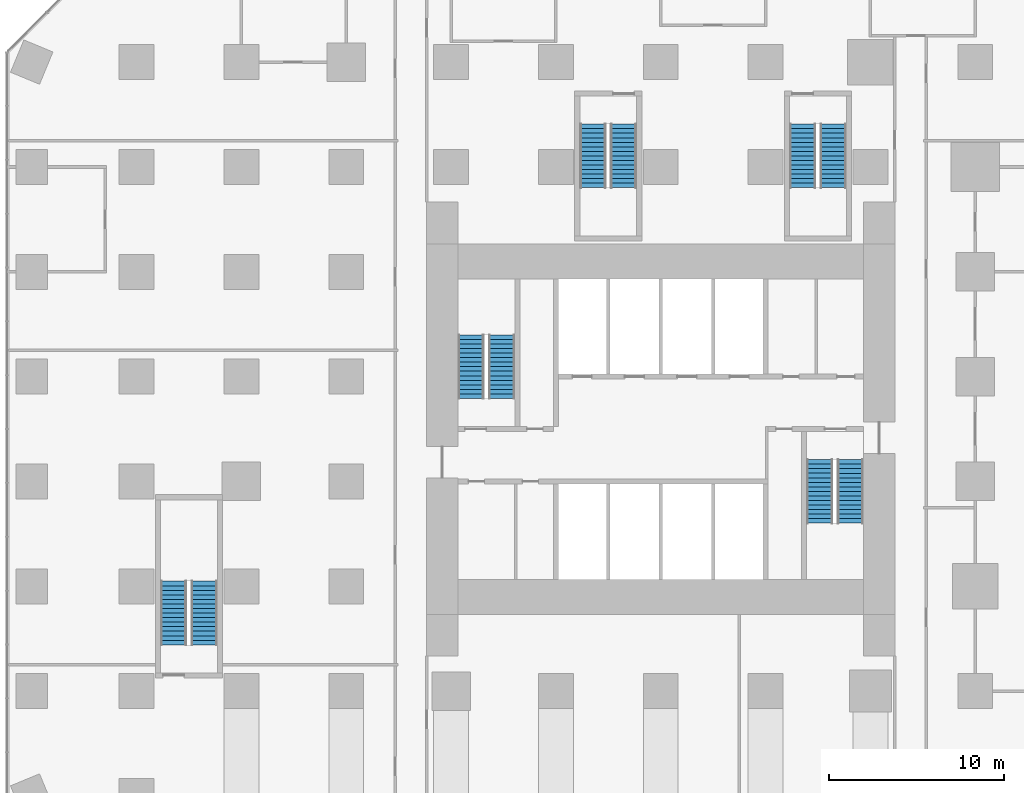
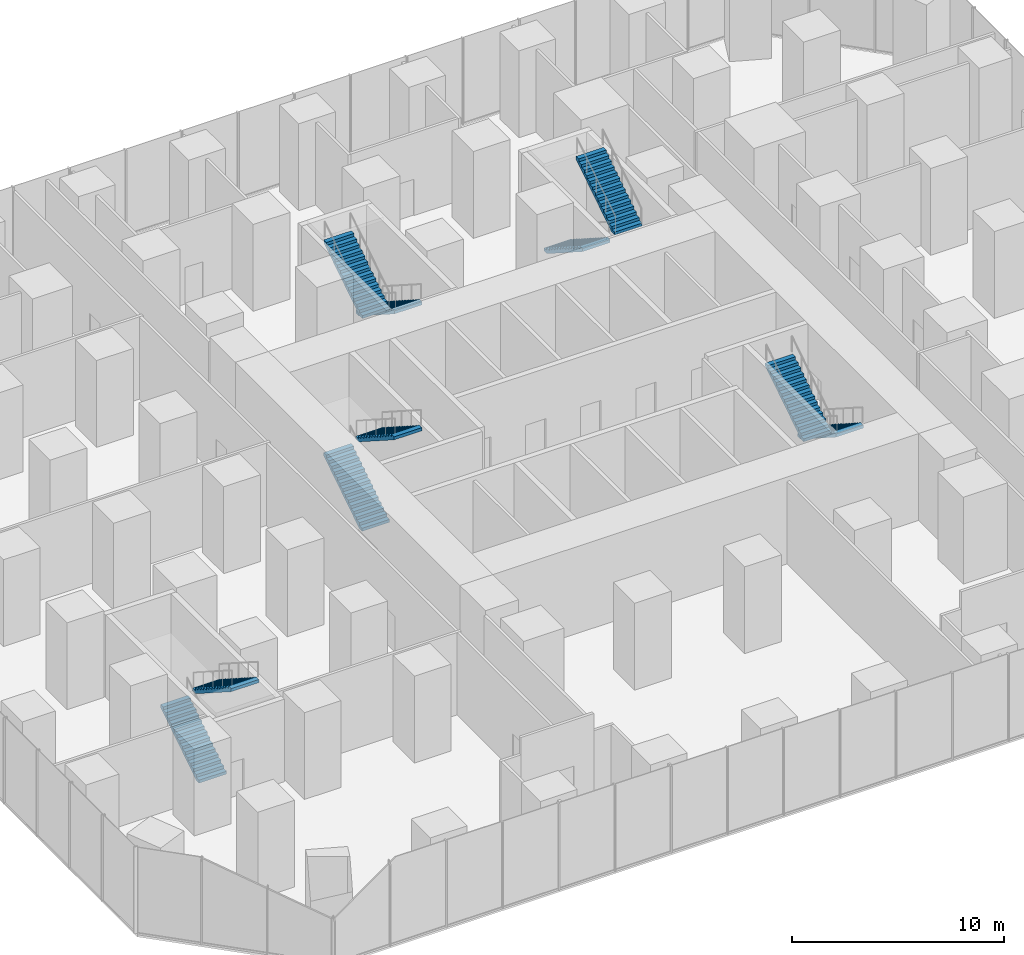
# One storey, part 14 of 15: 10 stair flights, 5 elements without a shape of their own.
"""IFC4 building model written with IfcOpenShell, lengths in metres."""

from ifc_helpers import new_model, si_unit, direction, frame, origin, place, context, subcontext, project, spatial, polyline, outline, extrude, material, type_object, element, aggregate, save


model = new_model("IFC4")

# Units and contexts
model_context = context("Model", 3, precision=1e-05, world=origin(), true_north=direction((0.0, 1.0)))
body_context = subcontext(model_context, "Body", "Model", "MODEL_VIEW")
ifc_project = project(units=[si_unit("LENGTHUNIT", "METRE"), si_unit("AREAUNIT", "SQUARE_METRE"), si_unit("VOLUMEUNIT", "CUBIC_METRE"), si_unit("PLANEANGLEUNIT", "RADIAN"), si_unit("MASSUNIT", "GRAM", prefix="KILO")], contexts=[model_context])

# Site, building, storey
site_placement = place(None, origin())
site = spatial("IfcSite", under=ifc_project, at=site_placement, CompositionType="ELEMENT")
building_placement = place(site_placement, origin())
building = spatial("IfcBuilding", under=site, at=building_placement, Name="Highveld Stack Headquarters", CompositionType="ELEMENT")
storey_placement = place(building_placement, frame((0.0, 0.0, 6.0)))
storey = spatial("IfcBuildingStorey", under=building, at=storey_placement, Name="L01", CompositionType="ELEMENT", Elevation=6.0)

# Stair, stair flights
ifc_material_1 = material(Name="Concrete C40/50, precast", Category="concrete")
stair_type_1 = type_object("IfcStairType", Name="STAIR S1 HALF TURN 1500", PredefinedType="HALF_TURN_STAIR", material=ifc_material_1)
stair_1_placement = place(storey_placement, origin())
stair_1 = element("IfcStair", 1, at=stair_1_placement, inside=storey, type_object=stair_type_1, Name="Stair S1 L01", PredefinedType="HALF_TURN_STAIR")
ifc_material_2 = material(Name="Concrete C40/50, precast", Category="concrete")
stair_flight_type = type_object("IfcStairFlightType", Name="STAIR FLIGHT 1500 PRECAST", PredefinedType="STRAIGHT", material=ifc_material_2)
stair_flight_1_placement = place(storey_placement, frame((-4.85009765625, 4.75, 0.0), z_axis=(0.0, 0.0, 1.0), x_axis=(0.0, 1.0, 0.0)))
stair_flight_1 = element("IfcStairFlight", 2, at=stair_flight_1_placement, type_object=stair_flight_type, Name="S1 flight 1", NumberOfRisers=15, NumberOfTreads=14, PredefinedType="STRAIGHT", RiserHeight=0.166666667, TreadLength=0.26, context=body_context, shape_type="SweptSolid", body=[
    extrude(outline(polyline([(0.0, 0.0), (0.0, 0.166748046875), (0.260009765625, 0.166748046875), (0.260009765625, 0.333251953125), (0.52001953125, 0.333251953125), (0.52001953125, 0.5), (0.780029296875, 0.5), (0.780029296875, 0.666748046875), (1.0400390625, 0.666748046875), (1.0400390625, 0.833251953125), (1.300048828125, 0.833251953125), (1.300048828125, 1.0), (1.56005859375, 1.0), (1.56005859375, 1.166748046875), (1.820068359375, 1.166748046875), (1.820068359375, 1.333251953125), (2.080078125, 1.333251953125), (2.080078125, 1.5), (2.340087890625, 1.5), (2.340087890625, 1.666748046875), (2.60009765625, 1.666748046875), (2.60009765625, 1.833251953125), (2.860107421875, 1.833251953125), (2.860107421875, 2.0), (3.1201171875, 2.0), (3.1201171875, 2.166748046875), (3.3798828125, 2.166748046875), (3.3798828125, 2.333251953125), (3.639892578125, 2.333251953125), (3.639892578125, 2.5), (3.639892578125, 2.1552734375), (0.27783203125, 0.0), (0.0, 0.0)])), frame((0.0, 0.75, 0.0), z_axis=(0.0, -1.0, 0.0), x_axis=(1.0, 0.0, 0.0)), (0.0, 0.0, 1.0), 1.5),
])
stair_flight_2_placement = place(storey_placement, frame((-3.10009765625, 8.389892578125, 2.5), z_axis=(0.0, 0.0, 1.0), x_axis=(0.0, -1.0, 0.0)))
stair_flight_2 = element("IfcStairFlight", 3, at=stair_flight_2_placement, type_object=stair_flight_type, Name="S1 flight 2", NumberOfRisers=15, NumberOfTreads=14, PredefinedType="STRAIGHT", RiserHeight=0.166666667, TreadLength=0.26, context=body_context, shape_type="SweptSolid", body=[
    extrude(outline(polyline([(0.0, 0.0), (0.0, 0.166748046875), (0.260009765625, 0.166748046875), (0.260009765625, 0.333251953125), (0.52001953125, 0.333251953125), (0.52001953125, 0.5), (0.780029296875, 0.5), (0.780029296875, 0.666748046875), (1.0400390625, 0.666748046875), (1.0400390625, 0.833251953125), (1.300048828125, 0.833251953125), (1.300048828125, 1.0), (1.56005859375, 1.0), (1.56005859375, 1.166748046875), (1.820068359375, 1.166748046875), (1.820068359375, 1.333251953125), (2.080078125, 1.333251953125), (2.080078125, 1.5), (2.340087890625, 1.5), (2.340087890625, 1.666748046875), (2.60009765625, 1.666748046875), (2.60009765625, 1.833251953125), (2.860107421875, 1.833251953125), (2.860107421875, 2.0), (3.1201171875, 2.0), (3.1201171875, 2.166748046875), (3.3798828125, 2.166748046875), (3.3798828125, 2.333251953125), (3.639892578125, 2.333251953125), (3.639892578125, 2.5), (3.639892578125, 2.1552734375), (0.27783203125, 0.0), (0.0, 0.0)])), frame((0.0, 0.75, 0.0), z_axis=(0.0, -1.0, 0.0), x_axis=(1.0, 0.0, 0.0)), (0.0, 0.0, 1.0), 1.5),
])
aggregate(stair_1, [stair_flight_1, stair_flight_2])

ifc_material_3 = material(Name="Concrete C40/50, precast", Category="concrete")
stair_type_2 = type_object("IfcStairType", Name="STAIR S2 HALF TURN 1500", PredefinedType="HALF_TURN_STAIR", material=ifc_material_3)
stair_2_placement = place(storey_placement, origin())
stair_2 = element("IfcStair", 4, at=stair_2_placement, inside=storey, type_object=stair_type_2, Name="Stair S2 L01", PredefinedType="HALF_TURN_STAIR")
stair_flight_3_placement = place(storey_placement, frame((16.85009765625, 1.25, 0.0), z_axis=(0.0, 0.0, 1.0), x_axis=(0.0, -1.0, 0.0)))
stair_flight_3 = element("IfcStairFlight", 5, at=stair_flight_3_placement, type_object=stair_flight_type, Name="S2 flight 1", NumberOfRisers=15, NumberOfTreads=14, PredefinedType="STRAIGHT", RiserHeight=0.166666667, TreadLength=0.26, context=body_context, shape_type="SweptSolid", body=[
    extrude(outline(polyline([(0.0, 0.0), (0.0, 0.166748046875), (0.260009765625, 0.166748046875), (0.260009765625, 0.333251953125), (0.52001953125, 0.333251953125), (0.52001953125, 0.5), (0.780029296875, 0.5), (0.780029296875, 0.666748046875), (1.0400390625, 0.666748046875), (1.0400390625, 0.833251953125), (1.300048828125, 0.833251953125), (1.300048828125, 1.0), (1.56005859375, 1.0), (1.56005859375, 1.166748046875), (1.820068359375, 1.166748046875), (1.820068359375, 1.333251953125), (2.080078125, 1.333251953125), (2.080078125, 1.5), (2.340087890625, 1.5), (2.340087890625, 1.666748046875), (2.60009765625, 1.666748046875), (2.60009765625, 1.833251953125), (2.860107421875, 1.833251953125), (2.860107421875, 2.0), (3.1201171875, 2.0), (3.1201171875, 2.166748046875), (3.3798828125, 2.166748046875), (3.3798828125, 2.333251953125), (3.639892578125, 2.333251953125), (3.639892578125, 2.5), (3.639892578125, 2.1552734375), (0.27783203125, 0.0), (0.0, 0.0)])), frame((0.0, 0.75, 0.0), z_axis=(0.0, -1.0, 0.0), x_axis=(1.0, 0.0, 0.0)), (0.0, 0.0, 1.0), 1.5),
])
stair_flight_4_placement = place(storey_placement, frame((15.10009765625, -2.389892578125, 2.5), z_axis=(0.0, 0.0, 1.0), x_axis=(0.0, 1.0, 0.0)))
stair_flight_4 = element("IfcStairFlight", 6, at=stair_flight_4_placement, type_object=stair_flight_type, Name="S2 flight 2", NumberOfRisers=15, NumberOfTreads=14, PredefinedType="STRAIGHT", RiserHeight=0.166666667, TreadLength=0.26, context=body_context, shape_type="SweptSolid", body=[
    extrude(outline(polyline([(0.0, 0.0), (0.0, 0.166748046875), (0.260009765625, 0.166748046875), (0.260009765625, 0.333251953125), (0.52001953125, 0.333251953125), (0.52001953125, 0.5), (0.780029296875, 0.5), (0.780029296875, 0.666748046875), (1.0400390625, 0.666748046875), (1.0400390625, 0.833251953125), (1.300048828125, 0.833251953125), (1.300048828125, 1.0), (1.56005859375, 1.0), (1.56005859375, 1.166748046875), (1.820068359375, 1.166748046875), (1.820068359375, 1.333251953125), (2.080078125, 1.333251953125), (2.080078125, 1.5), (2.340087890625, 1.5), (2.340087890625, 1.666748046875), (2.60009765625, 1.666748046875), (2.60009765625, 1.833251953125), (2.860107421875, 1.833251953125), (2.860107421875, 2.0), (3.1201171875, 2.0), (3.1201171875, 2.166748046875), (3.3798828125, 2.166748046875), (3.3798828125, 2.333251953125), (3.639892578125, 2.333251953125), (3.639892578125, 2.5), (3.639892578125, 2.1552734375), (0.27783203125, 0.0), (0.0, 0.0)])), frame((0.0, 0.75, 0.0), z_axis=(0.0, -1.0, 0.0), x_axis=(1.0, 0.0, 0.0)), (0.0, 0.0, 1.0), 1.5),
])
aggregate(stair_2, [stair_flight_3, stair_flight_4])

ifc_material_4 = material(Name="Concrete C40/50, precast", Category="concrete")
stair_type_3 = type_object("IfcStairType", Name="STAIR PS1 HALF TURN 1500", PredefinedType="HALF_TURN_STAIR", material=ifc_material_4)
stair_3_placement = place(storey_placement, origin())
stair_3 = element("IfcStair", 7, at=stair_3_placement, inside=storey, type_object=stair_type_3, Name="Stair PS1 L01", PredefinedType="HALF_TURN_STAIR")
stair_flight_5_placement = place(storey_placement, frame((-21.875, -9.35009765625, 0.0), z_axis=(0.0, 0.0, 1.0), x_axis=(0.0, 1.0, 0.0)))
stair_flight_5 = element("IfcStairFlight", 8, at=stair_flight_5_placement, type_object=stair_flight_type, Name="PS1 flight 1", NumberOfRisers=15, NumberOfTreads=14, PredefinedType="STRAIGHT", RiserHeight=0.166666667, TreadLength=0.26, context=body_context, shape_type="SweptSolid", body=[
    extrude(outline(polyline([(0.0, 0.0), (0.0, 0.166748046875), (0.260009765625, 0.166748046875), (0.260009765625, 0.333251953125), (0.52001953125, 0.333251953125), (0.52001953125, 0.5), (0.780029296875, 0.5), (0.780029296875, 0.666748046875), (1.0400390625, 0.666748046875), (1.0400390625, 0.833251953125), (1.300048828125, 0.833251953125), (1.300048828125, 1.0), (1.56005859375, 1.0), (1.56005859375, 1.166748046875), (1.820068359375, 1.166748046875), (1.820068359375, 1.333251953125), (2.080078125, 1.333251953125), (2.080078125, 1.5), (2.340087890625, 1.5), (2.340087890625, 1.666748046875), (2.60009765625, 1.666748046875), (2.60009765625, 1.833251953125), (2.860107421875, 1.833251953125), (2.860107421875, 2.0), (3.1201171875, 2.0), (3.1201171875, 2.166748046875), (3.3798828125, 2.166748046875), (3.3798828125, 2.333251953125), (3.639892578125, 2.333251953125), (3.639892578125, 2.5), (3.639892578125, 2.1552734375), (0.27783203125, 0.0), (0.0, 0.0)])), frame((0.0, 0.75, 0.0), z_axis=(0.0, -1.0, 0.0), x_axis=(1.0, 0.0, 0.0)), (0.0, 0.0, 1.0), 1.5),
])
stair_flight_6_placement = place(storey_placement, frame((-20.125, -5.7099609375, 2.5), z_axis=(0.0, 0.0, 1.0), x_axis=(0.0, -1.0, 0.0)))
stair_flight_6 = element("IfcStairFlight", 9, at=stair_flight_6_placement, type_object=stair_flight_type, Name="PS1 flight 2", NumberOfRisers=15, NumberOfTreads=14, PredefinedType="STRAIGHT", RiserHeight=0.166666667, TreadLength=0.26, context=body_context, shape_type="SweptSolid", body=[
    extrude(outline(polyline([(0.0, 0.0), (0.0, 0.166748046875), (0.260009765625, 0.166748046875), (0.260009765625, 0.333251953125), (0.52001953125, 0.333251953125), (0.52001953125, 0.5), (0.780029296875, 0.5), (0.780029296875, 0.666748046875), (1.0400390625, 0.666748046875), (1.0400390625, 0.833251953125), (1.300048828125, 0.833251953125), (1.300048828125, 1.0), (1.56005859375, 1.0), (1.56005859375, 1.166748046875), (1.820068359375, 1.166748046875), (1.820068359375, 1.333251953125), (2.080078125, 1.333251953125), (2.080078125, 1.5), (2.340087890625, 1.5), (2.340087890625, 1.666748046875), (2.60009765625, 1.666748046875), (2.60009765625, 1.833251953125), (2.860107421875, 1.833251953125), (2.860107421875, 2.0), (3.1201171875, 2.0), (3.1201171875, 2.166748046875), (3.3798828125, 2.166748046875), (3.3798828125, 2.333251953125), (3.639892578125, 2.333251953125), (3.639892578125, 2.5), (3.639892578125, 2.1552734375), (0.27783203125, 0.0), (0.0, 0.0)])), frame((0.0, 0.75, 0.0), z_axis=(0.0, -1.0, 0.0), x_axis=(1.0, 0.0, 0.0)), (0.0, 0.0, 1.0), 1.5),
])
aggregate(stair_3, [stair_flight_5, stair_flight_6])

ifc_material_5 = material(Name="Concrete C40/50, precast", Category="concrete")
stair_type_4 = type_object("IfcStairType", Name="STAIR PS2 HALF TURN 1500", PredefinedType="HALF_TURN_STAIR", material=ifc_material_5)
stair_4_placement = place(storey_placement, origin())
stair_4 = element("IfcStair", 10, at=stair_4_placement, inside=storey, type_object=stair_type_4, Name="Stair PS2 L01", PredefinedType="HALF_TURN_STAIR")
stair_flight_7_placement = place(storey_placement, frame((14.125, 20.449951171875, 0.0), z_axis=(0.0, 0.0, 1.0), x_axis=(0.0, -1.0, 0.0)))
stair_flight_7 = element("IfcStairFlight", 11, at=stair_flight_7_placement, type_object=stair_flight_type, Name="PS2 flight 1", NumberOfRisers=15, NumberOfTreads=14, PredefinedType="STRAIGHT", RiserHeight=0.166666667, TreadLength=0.26, context=body_context, shape_type="SweptSolid", body=[
    extrude(outline(polyline([(0.0, 0.0), (0.0, 0.166748046875), (0.260009765625, 0.166748046875), (0.260009765625, 0.333251953125), (0.52001953125, 0.333251953125), (0.52001953125, 0.5), (0.780029296875, 0.5), (0.780029296875, 0.666748046875), (1.0400390625, 0.666748046875), (1.0400390625, 0.833251953125), (1.300048828125, 0.833251953125), (1.300048828125, 1.0), (1.56005859375, 1.0), (1.56005859375, 1.166748046875), (1.820068359375, 1.166748046875), (1.820068359375, 1.333251953125), (2.080078125, 1.333251953125), (2.080078125, 1.5), (2.340087890625, 1.5), (2.340087890625, 1.666748046875), (2.60009765625, 1.666748046875), (2.60009765625, 1.833251953125), (2.860107421875, 1.833251953125), (2.860107421875, 2.0), (3.1201171875, 2.0), (3.1201171875, 2.166748046875), (3.3798828125, 2.166748046875), (3.3798828125, 2.333251953125), (3.639892578125, 2.333251953125), (3.639892578125, 2.5), (3.639892578125, 2.1552734375), (0.27783203125, 0.0), (0.0, 0.0)])), frame((0.0, 0.75, 0.0), z_axis=(0.0, -1.0, 0.0), x_axis=(1.0, 0.0, 0.0)), (0.0, 0.0, 1.0), 1.5),
])
stair_flight_8_placement = place(storey_placement, frame((15.875, 16.81005859375, 2.5), z_axis=(0.0, 0.0, 1.0), x_axis=(0.0, 1.0, 0.0)))
stair_flight_8 = element("IfcStairFlight", 12, at=stair_flight_8_placement, type_object=stair_flight_type, Name="PS2 flight 2", NumberOfRisers=15, NumberOfTreads=14, PredefinedType="STRAIGHT", RiserHeight=0.166666667, TreadLength=0.26, context=body_context, shape_type="SweptSolid", body=[
    extrude(outline(polyline([(0.0, 0.0), (0.0, 0.166748046875), (0.260009765625, 0.166748046875), (0.260009765625, 0.333251953125), (0.52001953125, 0.333251953125), (0.52001953125, 0.5), (0.780029296875, 0.5), (0.780029296875, 0.666748046875), (1.0400390625, 0.666748046875), (1.0400390625, 0.833251953125), (1.300048828125, 0.833251953125), (1.300048828125, 1.0), (1.56005859375, 1.0), (1.56005859375, 1.166748046875), (1.820068359375, 1.166748046875), (1.820068359375, 1.333251953125), (2.080078125, 1.333251953125), (2.080078125, 1.5), (2.340087890625, 1.5), (2.340087890625, 1.666748046875), (2.60009765625, 1.666748046875), (2.60009765625, 1.833251953125), (2.860107421875, 1.833251953125), (2.860107421875, 2.0), (3.1201171875, 2.0), (3.1201171875, 2.166748046875), (3.3798828125, 2.166748046875), (3.3798828125, 2.333251953125), (3.639892578125, 2.333251953125), (3.639892578125, 2.5), (3.639892578125, 2.1552734375), (0.27783203125, 0.0), (0.0, 0.0)])), frame((0.0, 0.75, 0.0), z_axis=(0.0, -1.0, 0.0), x_axis=(1.0, 0.0, 0.0)), (0.0, 0.0, 1.0), 1.5),
])
aggregate(stair_4, [stair_flight_7, stair_flight_8])

ifc_material_6 = material(Name="Concrete C40/50, precast", Category="concrete")
stair_type_5 = type_object("IfcStairType", Name="STAIR PS3 HALF TURN 1500", PredefinedType="HALF_TURN_STAIR", material=ifc_material_6)
stair_5_placement = place(storey_placement, origin())
stair_5 = element("IfcStair", 13, at=stair_5_placement, inside=storey, type_object=stair_type_5, Name="Stair PS3 L01", PredefinedType="HALF_TURN_STAIR")
stair_flight_9_placement = place(storey_placement, frame((3.875, 20.449951171875, 0.0), z_axis=(0.0, 0.0, 1.0), x_axis=(0.0, -1.0, 0.0)))
stair_flight_9 = element("IfcStairFlight", 14, at=stair_flight_9_placement, type_object=stair_flight_type, Name="PS3 flight 1", NumberOfRisers=15, NumberOfTreads=14, PredefinedType="STRAIGHT", RiserHeight=0.166666667, TreadLength=0.26, context=body_context, shape_type="SweptSolid", body=[
    extrude(outline(polyline([(0.0, 0.0), (0.0, 0.166748046875), (0.260009765625, 0.166748046875), (0.260009765625, 0.333251953125), (0.52001953125, 0.333251953125), (0.52001953125, 0.5), (0.780029296875, 0.5), (0.780029296875, 0.666748046875), (1.0400390625, 0.666748046875), (1.0400390625, 0.833251953125), (1.300048828125, 0.833251953125), (1.300048828125, 1.0), (1.56005859375, 1.0), (1.56005859375, 1.166748046875), (1.820068359375, 1.166748046875), (1.820068359375, 1.333251953125), (2.080078125, 1.333251953125), (2.080078125, 1.5), (2.340087890625, 1.5), (2.340087890625, 1.666748046875), (2.60009765625, 1.666748046875), (2.60009765625, 1.833251953125), (2.860107421875, 1.833251953125), (2.860107421875, 2.0), (3.1201171875, 2.0), (3.1201171875, 2.166748046875), (3.3798828125, 2.166748046875), (3.3798828125, 2.333251953125), (3.639892578125, 2.333251953125), (3.639892578125, 2.5), (3.639892578125, 2.1552734375), (0.27783203125, 0.0), (0.0, 0.0)])), frame((0.0, 0.75, 0.0), z_axis=(0.0, -1.0, 0.0), x_axis=(1.0, 0.0, 0.0)), (0.0, 0.0, 1.0), 1.5),
])
stair_flight_10_placement = place(storey_placement, frame((2.125, 16.81005859375, 2.5), z_axis=(0.0, 0.0, 1.0), x_axis=(0.0, 1.0, 0.0)))
stair_flight_10 = element("IfcStairFlight", 15, at=stair_flight_10_placement, type_object=stair_flight_type, Name="PS3 flight 2", NumberOfRisers=15, NumberOfTreads=14, PredefinedType="STRAIGHT", RiserHeight=0.166666667, TreadLength=0.26, context=body_context, shape_type="SweptSolid", body=[
    extrude(outline(polyline([(0.0, 0.0), (0.0, 0.166748046875), (0.260009765625, 0.166748046875), (0.260009765625, 0.333251953125), (0.52001953125, 0.333251953125), (0.52001953125, 0.5), (0.780029296875, 0.5), (0.780029296875, 0.666748046875), (1.0400390625, 0.666748046875), (1.0400390625, 0.833251953125), (1.300048828125, 0.833251953125), (1.300048828125, 1.0), (1.56005859375, 1.0), (1.56005859375, 1.166748046875), (1.820068359375, 1.166748046875), (1.820068359375, 1.333251953125), (2.080078125, 1.333251953125), (2.080078125, 1.5), (2.340087890625, 1.5), (2.340087890625, 1.666748046875), (2.60009765625, 1.666748046875), (2.60009765625, 1.833251953125), (2.860107421875, 1.833251953125), (2.860107421875, 2.0), (3.1201171875, 2.0), (3.1201171875, 2.166748046875), (3.3798828125, 2.166748046875), (3.3798828125, 2.333251953125), (3.639892578125, 2.333251953125), (3.639892578125, 2.5), (3.639892578125, 2.1552734375), (0.27783203125, 0.0), (0.0, 0.0)])), frame((0.0, 0.75, 0.0), z_axis=(0.0, -1.0, 0.0), x_axis=(1.0, 0.0, 0.0)), (0.0, 0.0, 1.0), 1.5),
])
aggregate(stair_5, [stair_flight_9, stair_flight_10])

save(model, "model.ifc")
